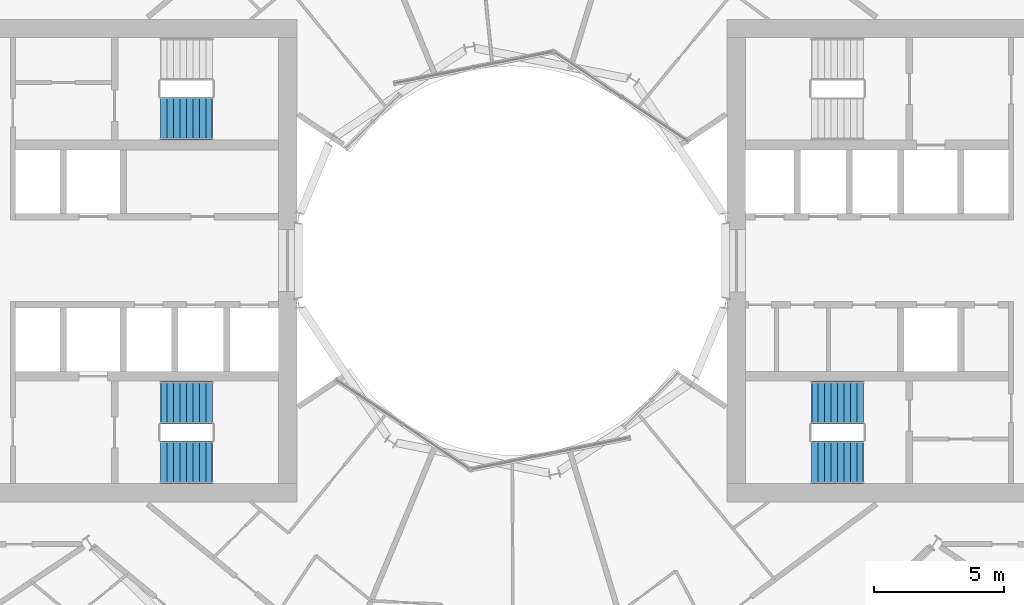
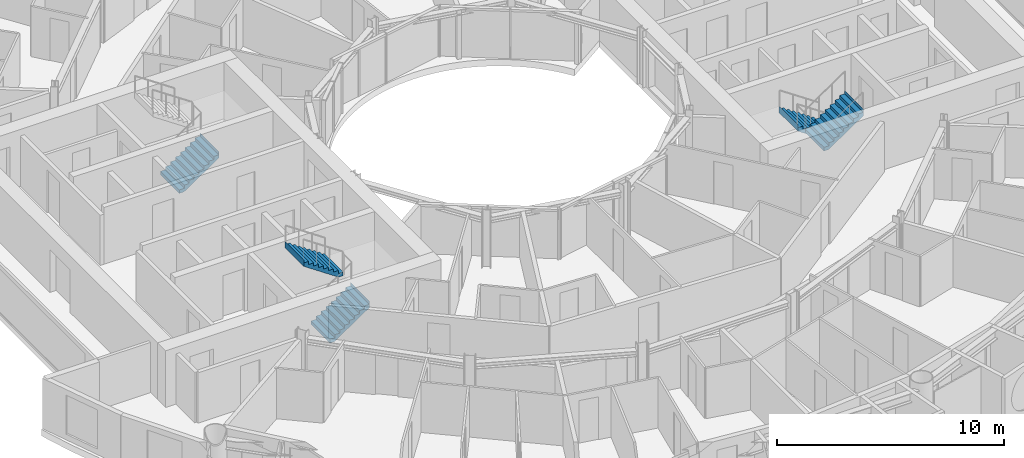
# One storey, part 23 of 26: 5 stair flights, 3 elements without a shape of their own.
"""IFC4 building model written with IfcOpenShell, lengths in metres."""

from ifc_helpers import new_model, si_unit, direction, frame, origin, place, context, subcontext, project, spatial, triangles, material, type_object, element, aggregate, save


model = new_model("IFC4")

# Units and contexts
model_context = context("Model", 3, precision=1e-05, world=origin(), true_north=direction((0.0, 1.0)))
body_context = subcontext(model_context, "Body", "Model", "MODEL_VIEW")
ifc_project = project(units=[si_unit("LENGTHUNIT", "METRE"), si_unit("AREAUNIT", "SQUARE_METRE"), si_unit("VOLUMEUNIT", "CUBIC_METRE"), si_unit("PLANEANGLEUNIT", "RADIAN"), si_unit("MASSUNIT", "GRAM", prefix="KILO")], contexts=[model_context])

# Site, building, storey
site_placement = place(None, origin())
site = spatial("IfcSite", under=ifc_project, at=site_placement, CompositionType="ELEMENT")
building_placement = place(site_placement, origin())
building = spatial("IfcBuilding", under=site, at=building_placement, Name="Maasbend Ring Residences", CompositionType="ELEMENT")
storey_placement = place(building_placement, frame((0.0, 0.0, 69.699951171875)))
storey = spatial("IfcBuildingStorey", under=building, at=storey_placement, Name="L19", CompositionType="ELEMENT", Elevation=69.699951171875)

# Stair, stair flights
ifc_material_1 = material(Name="Concrete C40/50", Category="concrete")
stair_type = type_object("IfcStairType", Name="CORE STAIR 18 RISERS", PredefinedType="HALF_TURN_STAIR", material=ifc_material_1)
stair_1_placement = place(storey_placement, origin())
stair_1 = element("IfcStair", 1, at=stair_1_placement, inside=storey, type_object=stair_type, Name="L19 Exit stair ST-E2", PredefinedType="HALF_TURN_STAIR")
ifc_material_2 = material(Name="Concrete C40/50", Category="concrete")
stair_flight_type = type_object("IfcStairFlightType", Name="CORE STAIR FLIGHT 1650", PredefinedType="STRAIGHT", material=ifc_material_2)
stair_flight_1_placement = place(storey_placement, frame((13.550048828125, -5.47509765625, 0.0), z_axis=(0.0, 0.0, 1.0), x_axis=(-1.0, 0.0, 0.0)))
stair_flight_1 = element("IfcStairFlight", 2, at=stair_flight_1_placement, type_object=stair_flight_type, Name="ST-E2 flight 1", NumberOfRisers=9, NumberOfTreads=8, PredefinedType="STRAIGHT", RiserHeight=0.169444444, TreadLength=0.25, context=body_context, shape_type="Tessellation", body=[
    triangles([(0.24072265625, 0.824951171875, -0.02001953125), (2.0029296875, 0.824951171875, 1.174560546875), (2.0029296875, 0.824951171875, 1.52490234375), (1.989990234375, 0.824951171875, 1.35546875), (1.75, 0.824951171875, 1.35546875), (1.75, 0.824951171875, 1.18603515625), (1.5, 0.824951171875, 1.18603515625), (1.5, 0.824951171875, 1.0166015625), (1.25, 0.824951171875, 1.0166015625), (1.25, 0.824951171875, 0.84716796875), (1.0, 0.824951171875, 0.84716796875), (1.0, 0.824951171875, 0.677734375), (0.75, 0.824951171875, 0.677734375), (0.75, 0.824951171875, 0.50830078125), (0.5, 0.824951171875, 0.50830078125), (0.5, 0.824951171875, 0.3388671875), (0.25, 0.824951171875, 0.3388671875), (0.25, 0.824951171875, 0.16943359375), (0.0, 0.824951171875, 0.16943359375), (0.0, 0.824951171875, 0.0), (-0.0029296875, 0.824951171875, 0.0), (-0.0029296875, 0.824951171875, -0.02001953125), (0.24072265625, 0.27490234375, -0.02001953125), (2.0029296875, 0.27490234375, 1.174560546875), (2.0029296875, 0.27490234375, 1.52490234375), (1.989990234375, 0.27490234375, 1.35546875), (1.75, 0.27490234375, 1.35546875), (1.75, 0.27490234375, 1.18603515625), (1.5, 0.27490234375, 1.18603515625), (1.5, 0.27490234375, 1.0166015625), (1.25, 0.27490234375, 1.0166015625), (1.25, 0.27490234375, 0.84716796875), (1.0, 0.27490234375, 0.84716796875), (1.0, 0.27490234375, 0.677734375), (0.75, 0.27490234375, 0.677734375), (0.75, 0.27490234375, 0.50830078125), (0.5, 0.27490234375, 0.50830078125), (0.5, 0.27490234375, 0.3388671875), (0.25, 0.27490234375, 0.3388671875), (0.25, 0.27490234375, 0.16943359375), (0.0, 0.27490234375, 0.16943359375), (0.0, 0.27490234375, 0.0), (-0.0029296875, 0.27490234375, 0.0), (-0.0029296875, 0.27490234375, -0.02001953125), (0.24072265625, -0.27490234375, -0.02001953125), (2.0029296875, -0.27490234375, 1.174560546875), (2.0029296875, -0.27490234375, 1.52490234375), (1.989990234375, -0.27490234375, 1.35546875), (1.75, -0.27490234375, 1.35546875), (1.75, -0.27490234375, 1.18603515625), (1.5, -0.27490234375, 1.18603515625), (1.5, -0.27490234375, 1.0166015625), (1.25, -0.27490234375, 1.0166015625), (1.25, -0.27490234375, 0.84716796875), (1.0, -0.27490234375, 0.84716796875), (1.0, -0.27490234375, 0.677734375), (0.75, -0.27490234375, 0.677734375), (0.75, -0.27490234375, 0.50830078125), (0.5, -0.27490234375, 0.50830078125), (0.5, -0.27490234375, 0.3388671875), (0.25, -0.27490234375, 0.3388671875), (0.25, -0.27490234375, 0.16943359375), (0.0, -0.27490234375, 0.16943359375), (0.0, -0.27490234375, 0.0), (-0.0029296875, -0.27490234375, 0.0), (-0.0029296875, -0.27490234375, -0.02001953125), (0.24072265625, -0.824951171875, -0.02001953125), (2.0029296875, -0.824951171875, 1.174560546875), (2.0029296875, -0.824951171875, 1.52490234375), (1.989990234375, -0.824951171875, 1.35546875), (1.75, -0.824951171875, 1.35546875), (1.75, -0.824951171875, 1.18603515625), (1.5, -0.824951171875, 1.18603515625), (1.5, -0.824951171875, 1.0166015625), (1.25, -0.824951171875, 1.0166015625), (1.25, -0.824951171875, 0.84716796875), (1.0, -0.824951171875, 0.84716796875), (1.0, -0.824951171875, 0.677734375), (0.75, -0.824951171875, 0.677734375), (0.75, -0.824951171875, 0.50830078125), (0.5, -0.824951171875, 0.50830078125), (0.5, -0.824951171875, 0.3388671875), (0.25, -0.824951171875, 0.3388671875), (0.25, -0.824951171875, 0.16943359375), (0.0, -0.824951171875, 0.16943359375), (0.0, -0.824951171875, 0.0), (-0.0029296875, -0.824951171875, 0.0), (-0.0029296875, -0.824951171875, -0.02001953125)], [[1, 2, 24], [1, 24, 23], [23, 24, 46], [23, 46, 45], [45, 46, 68], [45, 68, 67], [2, 3, 25], [2, 25, 24], [24, 25, 47], [24, 47, 46], [46, 47, 69], [46, 69, 68], [3, 4, 26], [3, 26, 25], [25, 26, 48], [25, 48, 47], [47, 48, 70], [47, 70, 69], [4, 5, 27], [4, 27, 26], [26, 27, 49], [26, 49, 48], [48, 49, 71], [48, 71, 70], [5, 6, 28], [5, 28, 27], [27, 28, 50], [27, 50, 49], [49, 50, 72], [49, 72, 71], [6, 7, 29], [6, 29, 28], [28, 29, 51], [28, 51, 50], [50, 51, 73], [50, 73, 72], [7, 8, 30], [7, 30, 29], [29, 30, 52], [29, 52, 51], [51, 52, 74], [51, 74, 73], [8, 9, 31], [8, 31, 30], [30, 31, 53], [30, 53, 52], [52, 53, 75], [52, 75, 74], [9, 10, 32], [9, 32, 31], [31, 32, 54], [31, 54, 53], [53, 54, 76], [53, 76, 75], [10, 11, 33], [10, 33, 32], [32, 33, 55], [32, 55, 54], [54, 55, 77], [54, 77, 76], [11, 12, 34], [11, 34, 33], [33, 34, 56], [33, 56, 55], [55, 56, 78], [55, 78, 77], [12, 13, 35], [12, 35, 34], [34, 35, 57], [34, 57, 56], [56, 57, 79], [56, 79, 78], [13, 14, 36], [13, 36, 35], [35, 36, 58], [35, 58, 57], [57, 58, 80], [57, 80, 79], [14, 15, 37], [14, 37, 36], [36, 37, 59], [36, 59, 58], [58, 59, 81], [58, 81, 80], [15, 16, 38], [15, 38, 37], [37, 38, 60], [37, 60, 59], [59, 60, 82], [59, 82, 81], [16, 17, 39], [16, 39, 38], [38, 39, 61], [38, 61, 60], [60, 61, 83], [60, 83, 82], [17, 18, 40], [17, 40, 39], [39, 40, 62], [39, 62, 61], [61, 62, 84], [61, 84, 83], [18, 19, 41], [18, 41, 40], [40, 41, 63], [40, 63, 62], [62, 63, 85], [62, 85, 84], [19, 20, 42], [19, 42, 41], [41, 42, 64], [41, 64, 63], [63, 64, 86], [63, 86, 85], [20, 21, 43], [20, 43, 42], [42, 43, 65], [42, 65, 64], [64, 65, 87], [64, 87, 86], [21, 22, 44], [21, 44, 43], [43, 44, 66], [43, 66, 65], [65, 66, 88], [65, 88, 87], [22, 1, 23], [22, 23, 44], [44, 23, 45], [44, 45, 66], [66, 45, 67], [66, 67, 88], [22, 2, 1], [2, 4, 3], [2, 5, 4], [2, 6, 5], [22, 6, 2], [6, 8, 7], [22, 8, 6], [8, 10, 9], [22, 10, 8], [10, 12, 11], [22, 12, 10], [12, 14, 13], [22, 14, 12], [14, 16, 15], [22, 16, 14], [16, 18, 17], [22, 18, 16], [18, 20, 19], [22, 20, 18], [20, 22, 21], [88, 67, 68], [68, 69, 70], [68, 70, 71], [68, 71, 72], [88, 68, 72], [72, 73, 74], [88, 72, 74], [74, 75, 76], [88, 74, 76], [76, 77, 78], [88, 76, 78], [78, 79, 80], [88, 78, 80], [80, 81, 82], [88, 80, 82], [82, 83, 84], [88, 82, 84], [84, 85, 86], [88, 84, 86], [86, 87, 88]], closed=True),
])
stair_flight_2_placement = place(storey_placement, frame((11.550048828125, -7.77490234375, 1.525146484375), z_axis=(0.0, 0.0, 1.0), x_axis=(1.0, 0.0, 0.0)))
stair_flight_2 = element("IfcStairFlight", 3, at=stair_flight_2_placement, type_object=stair_flight_type, Name="ST-E2 flight 2", NumberOfRisers=9, NumberOfTreads=8, PredefinedType="STRAIGHT", RiserHeight=0.169444444, TreadLength=0.25, context=body_context, shape_type="Tessellation", body=[
    triangles([(0.24072265625, 0.824951171875, -0.02001953125), (2.0029296875, 0.824951171875, 1.174560546875), (2.0029296875, 0.824951171875, 1.52490234375), (1.989990234375, 0.824951171875, 1.35546875), (1.75, 0.824951171875, 1.35546875), (1.75, 0.824951171875, 1.18603515625), (1.5, 0.824951171875, 1.18603515625), (1.5, 0.824951171875, 1.0166015625), (1.25, 0.824951171875, 1.0166015625), (1.25, 0.824951171875, 0.84716796875), (1.0, 0.824951171875, 0.84716796875), (1.0, 0.824951171875, 0.677734375), (0.75, 0.824951171875, 0.677734375), (0.75, 0.824951171875, 0.50830078125), (0.5, 0.824951171875, 0.50830078125), (0.5, 0.824951171875, 0.3388671875), (0.25, 0.824951171875, 0.3388671875), (0.25, 0.824951171875, 0.16943359375), (0.0, 0.824951171875, 0.16943359375), (0.0, 0.824951171875, 0.0), (-0.0029296875, 0.824951171875, 0.0), (-0.0029296875, 0.824951171875, -0.02001953125), (0.24072265625, 0.27490234375, -0.02001953125), (2.0029296875, 0.27490234375, 1.174560546875), (2.0029296875, 0.27490234375, 1.52490234375), (1.989990234375, 0.27490234375, 1.35546875), (1.75, 0.27490234375, 1.35546875), (1.75, 0.27490234375, 1.18603515625), (1.5, 0.27490234375, 1.18603515625), (1.5, 0.27490234375, 1.0166015625), (1.25, 0.27490234375, 1.0166015625), (1.25, 0.27490234375, 0.84716796875), (1.0, 0.27490234375, 0.84716796875), (1.0, 0.27490234375, 0.677734375), (0.75, 0.27490234375, 0.677734375), (0.75, 0.27490234375, 0.50830078125), (0.5, 0.27490234375, 0.50830078125), (0.5, 0.27490234375, 0.3388671875), (0.25, 0.27490234375, 0.3388671875), (0.25, 0.27490234375, 0.16943359375), (0.0, 0.27490234375, 0.16943359375), (0.0, 0.27490234375, 0.0), (-0.0029296875, 0.27490234375, 0.0), (-0.0029296875, 0.27490234375, -0.02001953125), (0.24072265625, -0.27490234375, -0.02001953125), (2.0029296875, -0.27490234375, 1.174560546875), (2.0029296875, -0.27490234375, 1.52490234375), (1.989990234375, -0.27490234375, 1.35546875), (1.75, -0.27490234375, 1.35546875), (1.75, -0.27490234375, 1.18603515625), (1.5, -0.27490234375, 1.18603515625), (1.5, -0.27490234375, 1.0166015625), (1.25, -0.27490234375, 1.0166015625), (1.25, -0.27490234375, 0.84716796875), (1.0, -0.27490234375, 0.84716796875), (1.0, -0.27490234375, 0.677734375), (0.75, -0.27490234375, 0.677734375), (0.75, -0.27490234375, 0.50830078125), (0.5, -0.27490234375, 0.50830078125), (0.5, -0.27490234375, 0.3388671875), (0.25, -0.27490234375, 0.3388671875), (0.25, -0.27490234375, 0.16943359375), (0.0, -0.27490234375, 0.16943359375), (0.0, -0.27490234375, 0.0), (-0.0029296875, -0.27490234375, 0.0), (-0.0029296875, -0.27490234375, -0.02001953125), (0.24072265625, -0.824951171875, -0.02001953125), (2.0029296875, -0.824951171875, 1.174560546875), (2.0029296875, -0.824951171875, 1.52490234375), (1.989990234375, -0.824951171875, 1.35546875), (1.75, -0.824951171875, 1.35546875), (1.75, -0.824951171875, 1.18603515625), (1.5, -0.824951171875, 1.18603515625), (1.5, -0.824951171875, 1.0166015625), (1.25, -0.824951171875, 1.0166015625), (1.25, -0.824951171875, 0.84716796875), (1.0, -0.824951171875, 0.84716796875), (1.0, -0.824951171875, 0.677734375), (0.75, -0.824951171875, 0.677734375), (0.75, -0.824951171875, 0.50830078125), (0.5, -0.824951171875, 0.50830078125), (0.5, -0.824951171875, 0.3388671875), (0.25, -0.824951171875, 0.3388671875), (0.25, -0.824951171875, 0.16943359375), (0.0, -0.824951171875, 0.16943359375), (0.0, -0.824951171875, 0.0), (-0.0029296875, -0.824951171875, 0.0), (-0.0029296875, -0.824951171875, -0.02001953125)], [[1, 2, 24], [1, 24, 23], [23, 24, 46], [23, 46, 45], [45, 46, 68], [45, 68, 67], [2, 3, 25], [2, 25, 24], [24, 25, 47], [24, 47, 46], [46, 47, 69], [46, 69, 68], [3, 4, 26], [3, 26, 25], [25, 26, 48], [25, 48, 47], [47, 48, 70], [47, 70, 69], [4, 5, 27], [4, 27, 26], [26, 27, 49], [26, 49, 48], [48, 49, 71], [48, 71, 70], [5, 6, 28], [5, 28, 27], [27, 28, 50], [27, 50, 49], [49, 50, 72], [49, 72, 71], [6, 7, 29], [6, 29, 28], [28, 29, 51], [28, 51, 50], [50, 51, 73], [50, 73, 72], [7, 8, 30], [7, 30, 29], [29, 30, 52], [29, 52, 51], [51, 52, 74], [51, 74, 73], [8, 9, 31], [8, 31, 30], [30, 31, 53], [30, 53, 52], [52, 53, 75], [52, 75, 74], [9, 10, 32], [9, 32, 31], [31, 32, 54], [31, 54, 53], [53, 54, 76], [53, 76, 75], [10, 11, 33], [10, 33, 32], [32, 33, 55], [32, 55, 54], [54, 55, 77], [54, 77, 76], [11, 12, 34], [11, 34, 33], [33, 34, 56], [33, 56, 55], [55, 56, 78], [55, 78, 77], [12, 13, 35], [12, 35, 34], [34, 35, 57], [34, 57, 56], [56, 57, 79], [56, 79, 78], [13, 14, 36], [13, 36, 35], [35, 36, 58], [35, 58, 57], [57, 58, 80], [57, 80, 79], [14, 15, 37], [14, 37, 36], [36, 37, 59], [36, 59, 58], [58, 59, 81], [58, 81, 80], [15, 16, 38], [15, 38, 37], [37, 38, 60], [37, 60, 59], [59, 60, 82], [59, 82, 81], [16, 17, 39], [16, 39, 38], [38, 39, 61], [38, 61, 60], [60, 61, 83], [60, 83, 82], [17, 18, 40], [17, 40, 39], [39, 40, 62], [39, 62, 61], [61, 62, 84], [61, 84, 83], [18, 19, 41], [18, 41, 40], [40, 41, 63], [40, 63, 62], [62, 63, 85], [62, 85, 84], [19, 20, 42], [19, 42, 41], [41, 42, 64], [41, 64, 63], [63, 64, 86], [63, 86, 85], [20, 21, 43], [20, 43, 42], [42, 43, 65], [42, 65, 64], [64, 65, 87], [64, 87, 86], [21, 22, 44], [21, 44, 43], [43, 44, 66], [43, 66, 65], [65, 66, 88], [65, 88, 87], [22, 1, 23], [22, 23, 44], [44, 23, 45], [44, 45, 66], [66, 45, 67], [66, 67, 88], [22, 2, 1], [2, 4, 3], [2, 5, 4], [2, 6, 5], [22, 6, 2], [6, 8, 7], [22, 8, 6], [8, 10, 9], [22, 10, 8], [10, 12, 11], [22, 12, 10], [12, 14, 13], [22, 14, 12], [14, 16, 15], [22, 16, 14], [16, 18, 17], [22, 18, 16], [18, 20, 19], [22, 20, 18], [20, 22, 21], [88, 67, 68], [68, 69, 70], [68, 70, 71], [68, 71, 72], [88, 68, 72], [72, 73, 74], [88, 72, 74], [74, 75, 76], [88, 74, 76], [76, 77, 78], [88, 76, 78], [78, 79, 80], [88, 78, 80], [80, 81, 82], [88, 80, 82], [82, 83, 84], [88, 82, 84], [84, 85, 86], [88, 84, 86], [86, 87, 88]], closed=True),
])
aggregate(stair_1, [stair_flight_1, stair_flight_2])

stair_2_placement = place(storey_placement, origin())
stair_2 = element("IfcStair", 4, at=stair_2_placement, inside=storey, type_object=stair_type, Name="L19 Exit stair ST-W1", PredefinedType="HALF_TURN_STAIR")
stair_flight_3_placement = place(storey_placement, frame((-13.550048828125, -7.77490234375, 0.0), z_axis=(0.0, 0.0, 1.0), x_axis=(1.0, 0.0, 0.0)))
stair_flight_3 = element("IfcStairFlight", 5, at=stair_flight_3_placement, type_object=stair_flight_type, Name="ST-W1 flight 1", NumberOfRisers=9, NumberOfTreads=8, PredefinedType="STRAIGHT", RiserHeight=0.169444444, TreadLength=0.25, context=body_context, shape_type="Tessellation", body=[
    triangles([(0.24072265625, 0.824951171875, -0.02001953125), (2.0029296875, 0.824951171875, 1.174560546875), (2.0029296875, 0.824951171875, 1.52490234375), (1.989990234375, 0.824951171875, 1.35546875), (1.75, 0.824951171875, 1.35546875), (1.75, 0.824951171875, 1.18603515625), (1.5, 0.824951171875, 1.18603515625), (1.5, 0.824951171875, 1.0166015625), (1.25, 0.824951171875, 1.0166015625), (1.25, 0.824951171875, 0.84716796875), (1.0, 0.824951171875, 0.84716796875), (1.0, 0.824951171875, 0.677734375), (0.75, 0.824951171875, 0.677734375), (0.75, 0.824951171875, 0.50830078125), (0.5, 0.824951171875, 0.50830078125), (0.5, 0.824951171875, 0.3388671875), (0.25, 0.824951171875, 0.3388671875), (0.25, 0.824951171875, 0.16943359375), (0.0, 0.824951171875, 0.16943359375), (0.0, 0.824951171875, 0.0), (-0.0029296875, 0.824951171875, 0.0), (-0.0029296875, 0.824951171875, -0.02001953125), (0.24072265625, 0.27490234375, -0.02001953125), (2.0029296875, 0.27490234375, 1.174560546875), (2.0029296875, 0.27490234375, 1.52490234375), (1.989990234375, 0.27490234375, 1.35546875), (1.75, 0.27490234375, 1.35546875), (1.75, 0.27490234375, 1.18603515625), (1.5, 0.27490234375, 1.18603515625), (1.5, 0.27490234375, 1.0166015625), (1.25, 0.27490234375, 1.0166015625), (1.25, 0.27490234375, 0.84716796875), (1.0, 0.27490234375, 0.84716796875), (1.0, 0.27490234375, 0.677734375), (0.75, 0.27490234375, 0.677734375), (0.75, 0.27490234375, 0.50830078125), (0.5, 0.27490234375, 0.50830078125), (0.5, 0.27490234375, 0.3388671875), (0.25, 0.27490234375, 0.3388671875), (0.25, 0.27490234375, 0.16943359375), (0.0, 0.27490234375, 0.16943359375), (0.0, 0.27490234375, 0.0), (-0.0029296875, 0.27490234375, 0.0), (-0.0029296875, 0.27490234375, -0.02001953125), (0.24072265625, -0.27490234375, -0.02001953125), (2.0029296875, -0.27490234375, 1.174560546875), (2.0029296875, -0.27490234375, 1.52490234375), (1.989990234375, -0.27490234375, 1.35546875), (1.75, -0.27490234375, 1.35546875), (1.75, -0.27490234375, 1.18603515625), (1.5, -0.27490234375, 1.18603515625), (1.5, -0.27490234375, 1.0166015625), (1.25, -0.27490234375, 1.0166015625), (1.25, -0.27490234375, 0.84716796875), (1.0, -0.27490234375, 0.84716796875), (1.0, -0.27490234375, 0.677734375), (0.75, -0.27490234375, 0.677734375), (0.75, -0.27490234375, 0.50830078125), (0.5, -0.27490234375, 0.50830078125), (0.5, -0.27490234375, 0.3388671875), (0.25, -0.27490234375, 0.3388671875), (0.25, -0.27490234375, 0.16943359375), (0.0, -0.27490234375, 0.16943359375), (0.0, -0.27490234375, 0.0), (-0.0029296875, -0.27490234375, 0.0), (-0.0029296875, -0.27490234375, -0.02001953125), (0.24072265625, -0.824951171875, -0.02001953125), (2.0029296875, -0.824951171875, 1.174560546875), (2.0029296875, -0.824951171875, 1.52490234375), (1.989990234375, -0.824951171875, 1.35546875), (1.75, -0.824951171875, 1.35546875), (1.75, -0.824951171875, 1.18603515625), (1.5, -0.824951171875, 1.18603515625), (1.5, -0.824951171875, 1.0166015625), (1.25, -0.824951171875, 1.0166015625), (1.25, -0.824951171875, 0.84716796875), (1.0, -0.824951171875, 0.84716796875), (1.0, -0.824951171875, 0.677734375), (0.75, -0.824951171875, 0.677734375), (0.75, -0.824951171875, 0.50830078125), (0.5, -0.824951171875, 0.50830078125), (0.5, -0.824951171875, 0.3388671875), (0.25, -0.824951171875, 0.3388671875), (0.25, -0.824951171875, 0.16943359375), (0.0, -0.824951171875, 0.16943359375), (0.0, -0.824951171875, 0.0), (-0.0029296875, -0.824951171875, 0.0), (-0.0029296875, -0.824951171875, -0.02001953125)], [[1, 2, 24], [1, 24, 23], [23, 24, 46], [23, 46, 45], [45, 46, 68], [45, 68, 67], [2, 3, 25], [2, 25, 24], [24, 25, 47], [24, 47, 46], [46, 47, 69], [46, 69, 68], [3, 4, 26], [3, 26, 25], [25, 26, 48], [25, 48, 47], [47, 48, 70], [47, 70, 69], [4, 5, 27], [4, 27, 26], [26, 27, 49], [26, 49, 48], [48, 49, 71], [48, 71, 70], [5, 6, 28], [5, 28, 27], [27, 28, 50], [27, 50, 49], [49, 50, 72], [49, 72, 71], [6, 7, 29], [6, 29, 28], [28, 29, 51], [28, 51, 50], [50, 51, 73], [50, 73, 72], [7, 8, 30], [7, 30, 29], [29, 30, 52], [29, 52, 51], [51, 52, 74], [51, 74, 73], [8, 9, 31], [8, 31, 30], [30, 31, 53], [30, 53, 52], [52, 53, 75], [52, 75, 74], [9, 10, 32], [9, 32, 31], [31, 32, 54], [31, 54, 53], [53, 54, 76], [53, 76, 75], [10, 11, 33], [10, 33, 32], [32, 33, 55], [32, 55, 54], [54, 55, 77], [54, 77, 76], [11, 12, 34], [11, 34, 33], [33, 34, 56], [33, 56, 55], [55, 56, 78], [55, 78, 77], [12, 13, 35], [12, 35, 34], [34, 35, 57], [34, 57, 56], [56, 57, 79], [56, 79, 78], [13, 14, 36], [13, 36, 35], [35, 36, 58], [35, 58, 57], [57, 58, 80], [57, 80, 79], [14, 15, 37], [14, 37, 36], [36, 37, 59], [36, 59, 58], [58, 59, 81], [58, 81, 80], [15, 16, 38], [15, 38, 37], [37, 38, 60], [37, 60, 59], [59, 60, 82], [59, 82, 81], [16, 17, 39], [16, 39, 38], [38, 39, 61], [38, 61, 60], [60, 61, 83], [60, 83, 82], [17, 18, 40], [17, 40, 39], [39, 40, 62], [39, 62, 61], [61, 62, 84], [61, 84, 83], [18, 19, 41], [18, 41, 40], [40, 41, 63], [40, 63, 62], [62, 63, 85], [62, 85, 84], [19, 20, 42], [19, 42, 41], [41, 42, 64], [41, 64, 63], [63, 64, 86], [63, 86, 85], [20, 21, 43], [20, 43, 42], [42, 43, 65], [42, 65, 64], [64, 65, 87], [64, 87, 86], [21, 22, 44], [21, 44, 43], [43, 44, 66], [43, 66, 65], [65, 66, 88], [65, 88, 87], [22, 1, 23], [22, 23, 44], [44, 23, 45], [44, 45, 66], [66, 45, 67], [66, 67, 88], [22, 2, 1], [2, 4, 3], [2, 5, 4], [2, 6, 5], [22, 6, 2], [6, 8, 7], [22, 8, 6], [8, 10, 9], [22, 10, 8], [10, 12, 11], [22, 12, 10], [12, 14, 13], [22, 14, 12], [14, 16, 15], [22, 16, 14], [16, 18, 17], [22, 18, 16], [18, 20, 19], [22, 20, 18], [20, 22, 21], [88, 67, 68], [68, 69, 70], [68, 70, 71], [68, 71, 72], [88, 68, 72], [72, 73, 74], [88, 72, 74], [74, 75, 76], [88, 74, 76], [76, 77, 78], [88, 76, 78], [78, 79, 80], [88, 78, 80], [80, 81, 82], [88, 80, 82], [82, 83, 84], [88, 82, 84], [84, 85, 86], [88, 84, 86], [86, 87, 88]], closed=True),
])
stair_flight_4_placement = place(storey_placement, frame((-11.550048828125, -5.47509765625, 1.525146484375), z_axis=(0.0, 0.0, 1.0), x_axis=(-1.0, 0.0, 0.0)))
stair_flight_4 = element("IfcStairFlight", 6, at=stair_flight_4_placement, type_object=stair_flight_type, Name="ST-W1 flight 2", NumberOfRisers=9, NumberOfTreads=8, PredefinedType="STRAIGHT", RiserHeight=0.169444444, TreadLength=0.25, context=body_context, shape_type="Tessellation", body=[
    triangles([(0.24072265625, 0.824951171875, -0.02001953125), (2.0029296875, 0.824951171875, 1.174560546875), (2.0029296875, 0.824951171875, 1.52490234375), (1.989990234375, 0.824951171875, 1.35546875), (1.75, 0.824951171875, 1.35546875), (1.75, 0.824951171875, 1.18603515625), (1.5, 0.824951171875, 1.18603515625), (1.5, 0.824951171875, 1.0166015625), (1.25, 0.824951171875, 1.0166015625), (1.25, 0.824951171875, 0.84716796875), (1.0, 0.824951171875, 0.84716796875), (1.0, 0.824951171875, 0.677734375), (0.75, 0.824951171875, 0.677734375), (0.75, 0.824951171875, 0.50830078125), (0.5, 0.824951171875, 0.50830078125), (0.5, 0.824951171875, 0.3388671875), (0.25, 0.824951171875, 0.3388671875), (0.25, 0.824951171875, 0.16943359375), (0.0, 0.824951171875, 0.16943359375), (0.0, 0.824951171875, 0.0), (-0.0029296875, 0.824951171875, 0.0), (-0.0029296875, 0.824951171875, -0.02001953125), (0.24072265625, 0.27490234375, -0.02001953125), (2.0029296875, 0.27490234375, 1.174560546875), (2.0029296875, 0.27490234375, 1.52490234375), (1.989990234375, 0.27490234375, 1.35546875), (1.75, 0.27490234375, 1.35546875), (1.75, 0.27490234375, 1.18603515625), (1.5, 0.27490234375, 1.18603515625), (1.5, 0.27490234375, 1.0166015625), (1.25, 0.27490234375, 1.0166015625), (1.25, 0.27490234375, 0.84716796875), (1.0, 0.27490234375, 0.84716796875), (1.0, 0.27490234375, 0.677734375), (0.75, 0.27490234375, 0.677734375), (0.75, 0.27490234375, 0.50830078125), (0.5, 0.27490234375, 0.50830078125), (0.5, 0.27490234375, 0.3388671875), (0.25, 0.27490234375, 0.3388671875), (0.25, 0.27490234375, 0.16943359375), (0.0, 0.27490234375, 0.16943359375), (0.0, 0.27490234375, 0.0), (-0.0029296875, 0.27490234375, 0.0), (-0.0029296875, 0.27490234375, -0.02001953125), (0.24072265625, -0.27490234375, -0.02001953125), (2.0029296875, -0.27490234375, 1.174560546875), (2.0029296875, -0.27490234375, 1.52490234375), (1.989990234375, -0.27490234375, 1.35546875), (1.75, -0.27490234375, 1.35546875), (1.75, -0.27490234375, 1.18603515625), (1.5, -0.27490234375, 1.18603515625), (1.5, -0.27490234375, 1.0166015625), (1.25, -0.27490234375, 1.0166015625), (1.25, -0.27490234375, 0.84716796875), (1.0, -0.27490234375, 0.84716796875), (1.0, -0.27490234375, 0.677734375), (0.75, -0.27490234375, 0.677734375), (0.75, -0.27490234375, 0.50830078125), (0.5, -0.27490234375, 0.50830078125), (0.5, -0.27490234375, 0.3388671875), (0.25, -0.27490234375, 0.3388671875), (0.25, -0.27490234375, 0.16943359375), (0.0, -0.27490234375, 0.16943359375), (0.0, -0.27490234375, 0.0), (-0.0029296875, -0.27490234375, 0.0), (-0.0029296875, -0.27490234375, -0.02001953125), (0.24072265625, -0.824951171875, -0.02001953125), (2.0029296875, -0.824951171875, 1.174560546875), (2.0029296875, -0.824951171875, 1.52490234375), (1.989990234375, -0.824951171875, 1.35546875), (1.75, -0.824951171875, 1.35546875), (1.75, -0.824951171875, 1.18603515625), (1.5, -0.824951171875, 1.18603515625), (1.5, -0.824951171875, 1.0166015625), (1.25, -0.824951171875, 1.0166015625), (1.25, -0.824951171875, 0.84716796875), (1.0, -0.824951171875, 0.84716796875), (1.0, -0.824951171875, 0.677734375), (0.75, -0.824951171875, 0.677734375), (0.75, -0.824951171875, 0.50830078125), (0.5, -0.824951171875, 0.50830078125), (0.5, -0.824951171875, 0.3388671875), (0.25, -0.824951171875, 0.3388671875), (0.25, -0.824951171875, 0.16943359375), (0.0, -0.824951171875, 0.16943359375), (0.0, -0.824951171875, 0.0), (-0.0029296875, -0.824951171875, 0.0), (-0.0029296875, -0.824951171875, -0.02001953125)], [[1, 2, 24], [1, 24, 23], [23, 24, 46], [23, 46, 45], [45, 46, 68], [45, 68, 67], [2, 3, 25], [2, 25, 24], [24, 25, 47], [24, 47, 46], [46, 47, 69], [46, 69, 68], [3, 4, 26], [3, 26, 25], [25, 26, 48], [25, 48, 47], [47, 48, 70], [47, 70, 69], [4, 5, 27], [4, 27, 26], [26, 27, 49], [26, 49, 48], [48, 49, 71], [48, 71, 70], [5, 6, 28], [5, 28, 27], [27, 28, 50], [27, 50, 49], [49, 50, 72], [49, 72, 71], [6, 7, 29], [6, 29, 28], [28, 29, 51], [28, 51, 50], [50, 51, 73], [50, 73, 72], [7, 8, 30], [7, 30, 29], [29, 30, 52], [29, 52, 51], [51, 52, 74], [51, 74, 73], [8, 9, 31], [8, 31, 30], [30, 31, 53], [30, 53, 52], [52, 53, 75], [52, 75, 74], [9, 10, 32], [9, 32, 31], [31, 32, 54], [31, 54, 53], [53, 54, 76], [53, 76, 75], [10, 11, 33], [10, 33, 32], [32, 33, 55], [32, 55, 54], [54, 55, 77], [54, 77, 76], [11, 12, 34], [11, 34, 33], [33, 34, 56], [33, 56, 55], [55, 56, 78], [55, 78, 77], [12, 13, 35], [12, 35, 34], [34, 35, 57], [34, 57, 56], [56, 57, 79], [56, 79, 78], [13, 14, 36], [13, 36, 35], [35, 36, 58], [35, 58, 57], [57, 58, 80], [57, 80, 79], [14, 15, 37], [14, 37, 36], [36, 37, 59], [36, 59, 58], [58, 59, 81], [58, 81, 80], [15, 16, 38], [15, 38, 37], [37, 38, 60], [37, 60, 59], [59, 60, 82], [59, 82, 81], [16, 17, 39], [16, 39, 38], [38, 39, 61], [38, 61, 60], [60, 61, 83], [60, 83, 82], [17, 18, 40], [17, 40, 39], [39, 40, 62], [39, 62, 61], [61, 62, 84], [61, 84, 83], [18, 19, 41], [18, 41, 40], [40, 41, 63], [40, 63, 62], [62, 63, 85], [62, 85, 84], [19, 20, 42], [19, 42, 41], [41, 42, 64], [41, 64, 63], [63, 64, 86], [63, 86, 85], [20, 21, 43], [20, 43, 42], [42, 43, 65], [42, 65, 64], [64, 65, 87], [64, 87, 86], [21, 22, 44], [21, 44, 43], [43, 44, 66], [43, 66, 65], [65, 66, 88], [65, 88, 87], [22, 1, 23], [22, 23, 44], [44, 23, 45], [44, 45, 66], [66, 45, 67], [66, 67, 88], [22, 2, 1], [2, 4, 3], [2, 5, 4], [2, 6, 5], [22, 6, 2], [6, 8, 7], [22, 8, 6], [8, 10, 9], [22, 10, 8], [10, 12, 11], [22, 12, 10], [12, 14, 13], [22, 14, 12], [14, 16, 15], [22, 16, 14], [16, 18, 17], [22, 18, 16], [18, 20, 19], [22, 20, 18], [20, 22, 21], [88, 67, 68], [68, 69, 70], [68, 70, 71], [68, 71, 72], [88, 68, 72], [72, 73, 74], [88, 72, 74], [74, 75, 76], [88, 74, 76], [76, 77, 78], [88, 76, 78], [78, 79, 80], [88, 78, 80], [80, 81, 82], [88, 80, 82], [82, 83, 84], [88, 82, 84], [84, 85, 86], [88, 84, 86], [86, 87, 88]], closed=True),
])
aggregate(stair_2, [stair_flight_3, stair_flight_4])

# Stair, stair flight
stair_3_placement = place(storey_placement, origin())
stair_3 = element("IfcStair", 7, at=stair_3_placement, inside=storey, type_object=stair_type, Name="L19 Exit stair ST-W2", PredefinedType="HALF_TURN_STAIR")
stair_flight_5_placement = place(storey_placement, frame((-13.550048828125, 5.47509765625, 0.0), z_axis=(0.0, 0.0, 1.0), x_axis=(1.0, 0.0, 0.0)))
stair_flight_5 = element("IfcStairFlight", 8, at=stair_flight_5_placement, type_object=stair_flight_type, Name="ST-W2 flight 1", NumberOfRisers=9, NumberOfTreads=8, PredefinedType="STRAIGHT", RiserHeight=0.169444444, TreadLength=0.25, context=body_context, shape_type="Tessellation", body=[
    triangles([(0.24072265625, 0.824951171875, -0.02001953125), (2.0029296875, 0.824951171875, 1.174560546875), (2.0029296875, 0.824951171875, 1.52490234375), (1.989990234375, 0.824951171875, 1.35546875), (1.75, 0.824951171875, 1.35546875), (1.75, 0.824951171875, 1.18603515625), (1.5, 0.824951171875, 1.18603515625), (1.5, 0.824951171875, 1.0166015625), (1.25, 0.824951171875, 1.0166015625), (1.25, 0.824951171875, 0.84716796875), (1.0, 0.824951171875, 0.84716796875), (1.0, 0.824951171875, 0.677734375), (0.75, 0.824951171875, 0.677734375), (0.75, 0.824951171875, 0.50830078125), (0.5, 0.824951171875, 0.50830078125), (0.5, 0.824951171875, 0.3388671875), (0.25, 0.824951171875, 0.3388671875), (0.25, 0.824951171875, 0.16943359375), (0.0, 0.824951171875, 0.16943359375), (0.0, 0.824951171875, 0.0), (-0.0029296875, 0.824951171875, 0.0), (-0.0029296875, 0.824951171875, -0.02001953125), (0.24072265625, 0.27490234375, -0.02001953125), (2.0029296875, 0.27490234375, 1.174560546875), (2.0029296875, 0.27490234375, 1.52490234375), (1.989990234375, 0.27490234375, 1.35546875), (1.75, 0.27490234375, 1.35546875), (1.75, 0.27490234375, 1.18603515625), (1.5, 0.27490234375, 1.18603515625), (1.5, 0.27490234375, 1.0166015625), (1.25, 0.27490234375, 1.0166015625), (1.25, 0.27490234375, 0.84716796875), (1.0, 0.27490234375, 0.84716796875), (1.0, 0.27490234375, 0.677734375), (0.75, 0.27490234375, 0.677734375), (0.75, 0.27490234375, 0.50830078125), (0.5, 0.27490234375, 0.50830078125), (0.5, 0.27490234375, 0.3388671875), (0.25, 0.27490234375, 0.3388671875), (0.25, 0.27490234375, 0.16943359375), (0.0, 0.27490234375, 0.16943359375), (0.0, 0.27490234375, 0.0), (-0.0029296875, 0.27490234375, 0.0), (-0.0029296875, 0.27490234375, -0.02001953125), (0.24072265625, -0.27490234375, -0.02001953125), (2.0029296875, -0.27490234375, 1.174560546875), (2.0029296875, -0.27490234375, 1.52490234375), (1.989990234375, -0.27490234375, 1.35546875), (1.75, -0.27490234375, 1.35546875), (1.75, -0.27490234375, 1.18603515625), (1.5, -0.27490234375, 1.18603515625), (1.5, -0.27490234375, 1.0166015625), (1.25, -0.27490234375, 1.0166015625), (1.25, -0.27490234375, 0.84716796875), (1.0, -0.27490234375, 0.84716796875), (1.0, -0.27490234375, 0.677734375), (0.75, -0.27490234375, 0.677734375), (0.75, -0.27490234375, 0.50830078125), (0.5, -0.27490234375, 0.50830078125), (0.5, -0.27490234375, 0.3388671875), (0.25, -0.27490234375, 0.3388671875), (0.25, -0.27490234375, 0.16943359375), (0.0, -0.27490234375, 0.16943359375), (0.0, -0.27490234375, 0.0), (-0.0029296875, -0.27490234375, 0.0), (-0.0029296875, -0.27490234375, -0.02001953125), (0.24072265625, -0.824951171875, -0.02001953125), (2.0029296875, -0.824951171875, 1.174560546875), (2.0029296875, -0.824951171875, 1.52490234375), (1.989990234375, -0.824951171875, 1.35546875), (1.75, -0.824951171875, 1.35546875), (1.75, -0.824951171875, 1.18603515625), (1.5, -0.824951171875, 1.18603515625), (1.5, -0.824951171875, 1.0166015625), (1.25, -0.824951171875, 1.0166015625), (1.25, -0.824951171875, 0.84716796875), (1.0, -0.824951171875, 0.84716796875), (1.0, -0.824951171875, 0.677734375), (0.75, -0.824951171875, 0.677734375), (0.75, -0.824951171875, 0.50830078125), (0.5, -0.824951171875, 0.50830078125), (0.5, -0.824951171875, 0.3388671875), (0.25, -0.824951171875, 0.3388671875), (0.25, -0.824951171875, 0.16943359375), (0.0, -0.824951171875, 0.16943359375), (0.0, -0.824951171875, 0.0), (-0.0029296875, -0.824951171875, 0.0), (-0.0029296875, -0.824951171875, -0.02001953125)], [[1, 2, 24], [1, 24, 23], [23, 24, 46], [23, 46, 45], [45, 46, 68], [45, 68, 67], [2, 3, 25], [2, 25, 24], [24, 25, 47], [24, 47, 46], [46, 47, 69], [46, 69, 68], [3, 4, 26], [3, 26, 25], [25, 26, 48], [25, 48, 47], [47, 48, 70], [47, 70, 69], [4, 5, 27], [4, 27, 26], [26, 27, 49], [26, 49, 48], [48, 49, 71], [48, 71, 70], [5, 6, 28], [5, 28, 27], [27, 28, 50], [27, 50, 49], [49, 50, 72], [49, 72, 71], [6, 7, 29], [6, 29, 28], [28, 29, 51], [28, 51, 50], [50, 51, 73], [50, 73, 72], [7, 8, 30], [7, 30, 29], [29, 30, 52], [29, 52, 51], [51, 52, 74], [51, 74, 73], [8, 9, 31], [8, 31, 30], [30, 31, 53], [30, 53, 52], [52, 53, 75], [52, 75, 74], [9, 10, 32], [9, 32, 31], [31, 32, 54], [31, 54, 53], [53, 54, 76], [53, 76, 75], [10, 11, 33], [10, 33, 32], [32, 33, 55], [32, 55, 54], [54, 55, 77], [54, 77, 76], [11, 12, 34], [11, 34, 33], [33, 34, 56], [33, 56, 55], [55, 56, 78], [55, 78, 77], [12, 13, 35], [12, 35, 34], [34, 35, 57], [34, 57, 56], [56, 57, 79], [56, 79, 78], [13, 14, 36], [13, 36, 35], [35, 36, 58], [35, 58, 57], [57, 58, 80], [57, 80, 79], [14, 15, 37], [14, 37, 36], [36, 37, 59], [36, 59, 58], [58, 59, 81], [58, 81, 80], [15, 16, 38], [15, 38, 37], [37, 38, 60], [37, 60, 59], [59, 60, 82], [59, 82, 81], [16, 17, 39], [16, 39, 38], [38, 39, 61], [38, 61, 60], [60, 61, 83], [60, 83, 82], [17, 18, 40], [17, 40, 39], [39, 40, 62], [39, 62, 61], [61, 62, 84], [61, 84, 83], [18, 19, 41], [18, 41, 40], [40, 41, 63], [40, 63, 62], [62, 63, 85], [62, 85, 84], [19, 20, 42], [19, 42, 41], [41, 42, 64], [41, 64, 63], [63, 64, 86], [63, 86, 85], [20, 21, 43], [20, 43, 42], [42, 43, 65], [42, 65, 64], [64, 65, 87], [64, 87, 86], [21, 22, 44], [21, 44, 43], [43, 44, 66], [43, 66, 65], [65, 66, 88], [65, 88, 87], [22, 1, 23], [22, 23, 44], [44, 23, 45], [44, 45, 66], [66, 45, 67], [66, 67, 88], [22, 2, 1], [2, 4, 3], [2, 5, 4], [2, 6, 5], [22, 6, 2], [6, 8, 7], [22, 8, 6], [8, 10, 9], [22, 10, 8], [10, 12, 11], [22, 12, 10], [12, 14, 13], [22, 14, 12], [14, 16, 15], [22, 16, 14], [16, 18, 17], [22, 18, 16], [18, 20, 19], [22, 20, 18], [20, 22, 21], [88, 67, 68], [68, 69, 70], [68, 70, 71], [68, 71, 72], [88, 68, 72], [72, 73, 74], [88, 72, 74], [74, 75, 76], [88, 74, 76], [76, 77, 78], [88, 76, 78], [78, 79, 80], [88, 78, 80], [80, 81, 82], [88, 80, 82], [82, 83, 84], [88, 82, 84], [84, 85, 86], [88, 84, 86], [86, 87, 88]], closed=True),
])
aggregate(stair_3, [stair_flight_5])

save(model, "model.ifc")
